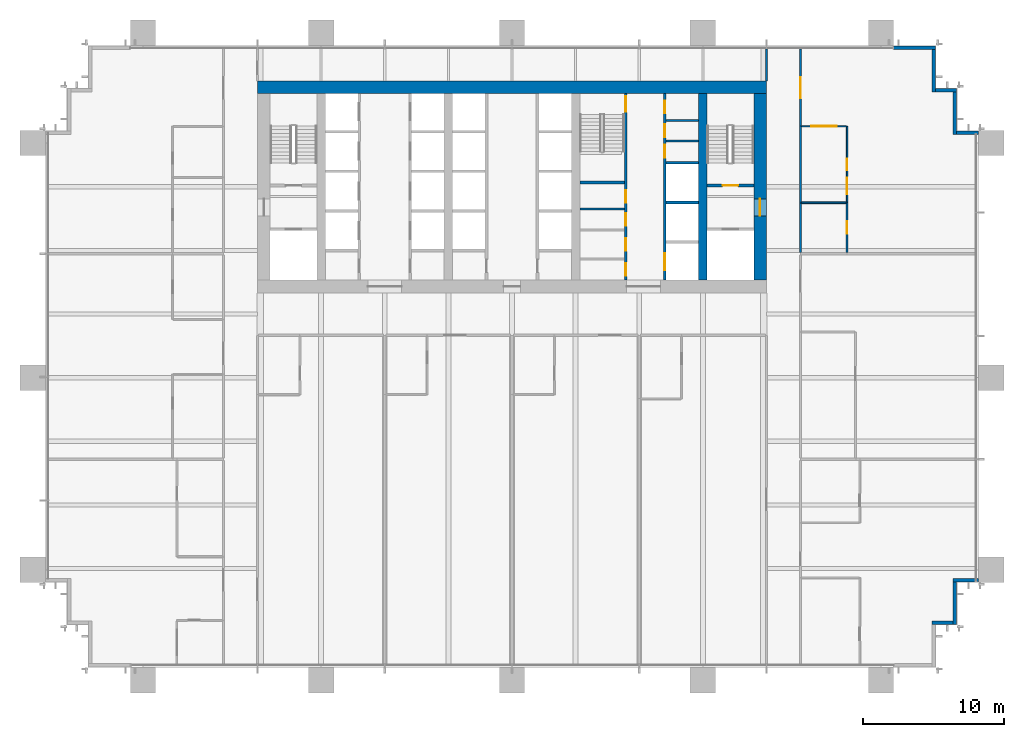
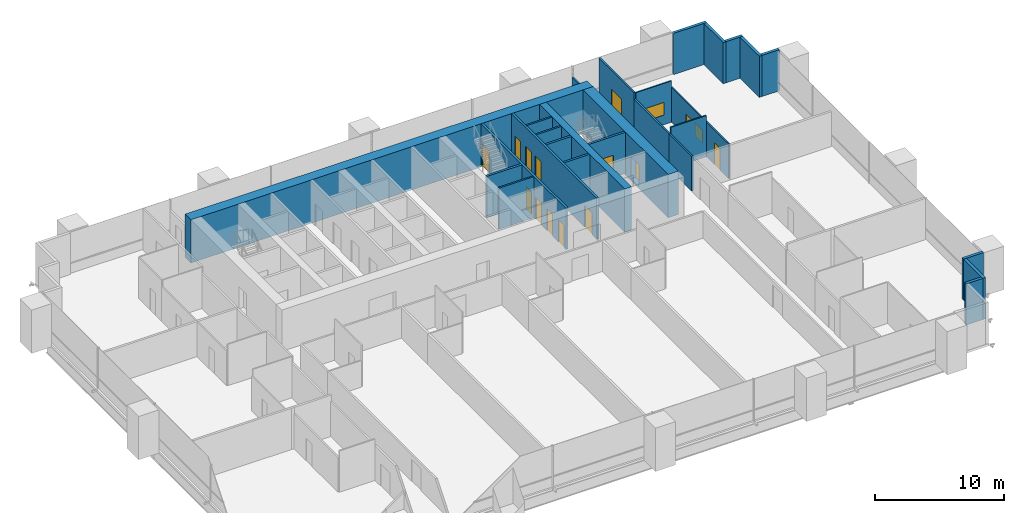
# One storey, part 14 of 17: 28 walls, 14 doors, 2 windows, 16 openings.
"""IFC4 building model written with IfcOpenShell, lengths in metres."""

import ifcopenshell
import ifcopenshell.guid

model = None  # the IFC model being written
_history = None  # IfcOwnerHistory: only IFC2X3 demands one
_inside = {}  # id of a spatial element -> (the spatial element, [elements in it])
_under = {}  # id of a project, library or spatial element -> (it, [spatial elements below it])
_declared = {}  # id of a project -> (the project, [libraries it declares])
_typed = {}  # id of a type object -> (the type object, [elements of that type])
_made_of = {}  # id of a material, layer set ... -> (it, [elements and type objects made of it])


def new_model(schema):
    """Start an empty IFC model of exactly this schema.

    Asked for "IFC4X3", IfcOpenShell would pick the latest addendum, in which some entities
    have other attributes; the version numbers below select the first issue.
    IFC2X3 requires an IfcOwnerHistory on every rooted entity: one is made here for all.
    """
    global model, _history
    if schema == "IFC4X3":
        model = ifcopenshell.file(schema_version=(4, 3, 0, 0))
    else:
        model = ifcopenshell.file(schema=schema)
    _inside.clear()
    _under.clear()
    _declared.clear()
    _typed.clear()
    _made_of.clear()
    _history = None
    if model.schema == "IFC2X3":
        org = make("IfcOrganization", Name="unknown")
        user = make(
            "IfcPersonAndOrganization",
            ThePerson=make("IfcPerson", FamilyName="unknown"),
            TheOrganization=org,
        )
        app = make(
            "IfcApplication",
            ApplicationDeveloper=org,
            Version="unknown",
            ApplicationFullName="unknown",
            ApplicationIdentifier="unknown",
        )
        _history = make(
            "IfcOwnerHistory",
            OwningUser=user,
            OwningApplication=app,
            ChangeAction="ADDED",
            CreationDate=0,
        )
    return model


def make(cls, **values):
    """One entity of the class cls with the attributes given. An attribute that is None is left unset."""
    return model.create_entity(
        cls, **{name: value for name, value in values.items() if value is not None}
    )


def rooted(cls, **values):
    """An entity with a GlobalId (a new one), such as an element, a storey or a relation."""
    return make(cls, GlobalId=ifcopenshell.guid.new(), OwnerHistory=_history, **values)


def si_unit(unit_type, name, prefix=None):
    """IfcSIUnit, for example si_unit("LENGTHUNIT", "METRE", prefix="MILLI")."""
    return make("IfcSIUnit", UnitType=unit_type, Prefix=prefix, Name=name)


def assignment(units):
    """IfcUnitAssignment: the units of a project."""
    return None if units is None else make("IfcUnitAssignment", Units=units)


def point(xyz):
    """IfcCartesianPoint."""
    return None if xyz is None else make("IfcCartesianPoint", Coordinates=xyz)


def direction(xyz):
    """IfcDirection."""
    return None if xyz is None else make("IfcDirection", DirectionRatios=xyz)


def frame(location, z_axis=None, x_axis=None):
    """IfcAxis2Placement3D, a coordinate frame: its origin and axes. An axis left out is left unset."""
    return make(
        "IfcAxis2Placement3D",
        Location=point(location),
        Axis=direction(z_axis),
        RefDirection=direction(x_axis),
    )


def frame_2d(location, x_axis=None):
    """IfcAxis2Placement2D, a coordinate frame in the plane: its origin and x axis."""
    return make(
        "IfcAxis2Placement2D", Location=point(location), RefDirection=direction(x_axis)
    )


def origin():
    """The frame at (0, 0, 0) with its axes left unset."""
    return frame((0.0, 0.0, 0.0))


def place(relative_to, where):
    """IfcLocalPlacement: puts the frame where relative to a parent placement (None: the world)."""
    return make(
        "IfcLocalPlacement", PlacementRelTo=relative_to, RelativePlacement=where
    )


def context(
    kind, dimensions, precision=None, world=None, true_north=None, identifier=None
):
    """IfcGeometricRepresentationContext, for example the 3D "Model" context."""
    return make(
        "IfcGeometricRepresentationContext",
        ContextIdentifier=identifier,
        ContextType=kind,
        CoordinateSpaceDimension=dimensions,
        Precision=precision,
        WorldCoordinateSystem=world,
        TrueNorth=true_north,
    )


def subcontext(parent, identifier, kind, view, scale=None):
    """IfcGeometricRepresentationSubContext, for example "Body" below "Model"."""
    return make(
        "IfcGeometricRepresentationSubContext",
        ContextIdentifier=identifier,
        ContextType=kind,
        ParentContext=parent,
        TargetScale=scale,
        TargetView=view,
    )


def project(units=None, contexts=None):
    """IfcProject with its units and contexts."""
    return rooted(
        "IfcProject",
        Name="project",
        RepresentationContexts=contexts,
        UnitsInContext=assignment(units),
    )


def spatial(cls, under=None, at=None, **own):
    """A site, building, storey or space (cls), placed at a placement, below another one or the project."""
    s = rooted(cls, ObjectPlacement=at, **own)
    if under is not None:
        _under.setdefault(under.id(), (under, []))[1].append(s)
    return s


def profile(cls, at=None, kind="AREA", **sizes):
    """A parametric profile (cls). Its sizes go by their IFC names, for example OverallWidth=200.0."""
    return make(cls, ProfileType=kind, Position=at, **sizes)


def rectangle(**sizes):
    """IfcRectangleProfileDef."""
    return profile("IfcRectangleProfileDef", **sizes)


def extrude(swept, where, along, depth):
    """IfcExtrudedAreaSolid: the profile swept, set in the frame where, extruded along a direction by depth."""
    return make(
        "IfcExtrudedAreaSolid",
        SweptArea=swept,
        Position=where,
        ExtrudedDirection=direction(along),
        Depth=depth,
    )


def shape(context_of_items, identifier, shape_type, items):
    """IfcShapeRepresentation: the items that make up one representation, for example the "Body"."""
    return make(
        "IfcShapeRepresentation",
        ContextOfItems=context_of_items,
        RepresentationIdentifier=identifier,
        RepresentationType=shape_type,
        Items=items,
    )


def material(Name=None, Category=None):
    """IfcMaterial."""
    return make("IfcMaterial", Name=Name, Category=Category)


def layer(
    of_material, thickness, ventilated=None, Name=None, Category=None, Priority=None
):
    """IfcMaterialLayer: one layer of a wall or slab, of a material (None: an air gap)."""
    return make(
        "IfcMaterialLayer",
        Material=of_material,
        LayerThickness=thickness,
        IsVentilated=ventilated,
        Name=Name,
        Category=Category,
        Priority=Priority,
    )


def layer_set(layers, Name=None):
    """IfcMaterialLayerSet."""
    return make("IfcMaterialLayerSet", MaterialLayers=layers, LayerSetName=Name)


def made_of(thing, what):
    """Note that an element or type object is made of a material, layer set ...; save() writes the relation."""
    if what is not None:
        _made_of.setdefault(what.id(), (what, []))[1].append(thing)
    return thing


def type_object(cls, material=None, **own):
    """A type object (cls), such as IfcWallType, which elements share."""
    return made_of(rooted(cls, **own), material)


def element(
    cls,
    number,
    at=None,
    inside=None,
    cuts=None,
    type_object=None,
    material=None,
    context=None,
    identifier="Body",
    shape_type=None,
    held_by="IfcProductDefinitionShape",
    body=None,
    shapes=None,
    **own,
):
    """One element of the class cls, such as IfcWall. Its Tag is "e" and its number.

    at: its placement. inside: the storey or other place that contains it. cuts: it is an
    opening in that element (IfcRelVoidsElement). A single representation is given by context,
    identifier, shape_type and body (its items); several are given by shapes. held_by: the class
    of the entity that holds the representations. save() writes the other relations.
    """
    e = rooted(cls, Tag="e%d" % number, ObjectPlacement=at, **own)
    if body is not None:
        shapes = [shape(context, identifier, shape_type, body)]
    if shapes is not None:
        e.Representation = make(held_by, Representations=shapes)
    if inside is not None:
        _inside.setdefault(inside.id(), (inside, []))[1].append(e)
    if cuts is not None:
        rooted(
            "IfcRelVoidsElement", RelatingBuildingElement=cuts, RelatedOpeningElement=e
        )
    if type_object is not None:
        _typed.setdefault(type_object.id(), (type_object, []))[1].append(e)
    return made_of(e, material)


def fill(opening, filler):
    """IfcRelFillsElement: the door or window that sits in an opening."""
    return rooted(
        "IfcRelFillsElement",
        RelatingOpeningElement=opening,
        RelatedBuildingElement=filler,
    )


def aggregate(whole, parts):
    """IfcRelAggregates: a whole, such as a stair, and the parts it consists of."""
    return rooted("IfcRelAggregates", RelatingObject=whole, RelatedObjects=parts)


def save(model, path):
    """Write the relations noted so far, then the file.

    IfcRelAggregates (storeys below a building ...), IfcRelContainedInSpatialStructure (elements
    in a storey), IfcRelDefinesByType, IfcRelAssociatesMaterial and IfcRelDeclares: one each for
    every whole, place, type object, material and project.
    """
    for whole, parts in _under.values():
        aggregate(whole, parts)
    for where, things in _inside.values():
        rooted(
            "IfcRelContainedInSpatialStructure",
            RelatedElements=things,
            RelatingStructure=where,
        )
    for kind, things in _typed.values():
        rooted("IfcRelDefinesByType", RelatedObjects=things, RelatingType=kind)
    for what, things in _made_of.values():
        rooted("IfcRelAssociatesMaterial", RelatedObjects=things, RelatingMaterial=what)
    for by, libraries in _declared.values():
        rooted("IfcRelDeclares", RelatingContext=by, RelatedDefinitions=libraries)
    model.write(path)


model = new_model("IFC4")

# Units and contexts
model_context = context("Model", 3, precision=1e-05, world=origin(), true_north=direction((0.0, 1.0)))
body_context = subcontext(model_context, "Body", "Model", "MODEL_VIEW")
ifc_project = project(units=[si_unit("LENGTHUNIT", "METRE"), si_unit("AREAUNIT", "SQUARE_METRE"), si_unit("VOLUMEUNIT", "CUBIC_METRE"), si_unit("PLANEANGLEUNIT", "RADIAN"), si_unit("MASSUNIT", "GRAM", prefix="KILO")], contexts=[model_context])

# Site, building, storey
site_placement = place(None, origin())
site = spatial("IfcSite", under=ifc_project, at=site_placement, CompositionType="ELEMENT")
building_placement = place(site_placement, origin())
building = spatial("IfcBuilding", under=site, at=building_placement, Name="Rattan Terrace Tower", CompositionType="ELEMENT")
storey_placement = place(building_placement, frame((0.0, 0.0, 61.10009765625)))
storey = spatial("IfcBuildingStorey", under=building, at=storey_placement, Name="L13", CompositionType="ELEMENT", Elevation=61.10009765625)

# Walls
ifc_material_1 = material(Name="Gypsum board partition")
ifc_layer_1 = layer(ifc_material_1, 0.14990234375)
ifc_layer_set_1 = layer_set([ifc_layer_1], Name="Core partition 150")
wall_type_1 = type_object("IfcWallType", Name="Core partition 150", PredefinedType="PARTITIONING", material=ifc_layer_set_1)
wall_1_placement = place(storey_placement, frame((4.800048828125, -1.568115234375, 0.0), z_axis=(0.0, 0.0, 1.0), x_axis=(1.0, 0.0, 0.0)))
element("IfcWall", 1, at=wall_1_placement, inside=storey, type_object=wall_type_1, Name="Toilet wall", PredefinedType="PARTITIONING", context=body_context, shape_type="SweptSolid", body=[
    extrude(rectangle(XDim=3.14990234375, YDim=0.14990234375, at=frame_2d((1.574951171875, 0.0))), origin(), (0.0, 0.0, 1.0), 3.89990234375),
])
for number, where, z_axis, x_axis, name in (
    (2, (10.89990234375, 3.239990234375, 0.0), (0.0, 0.0, 1.0), (1.0, 0.0, 0.0), "Riser room wall"),
    (3, (10.89990234375, 4.679931640625, 0.0), (0.0, 0.0, 1.0), (1.0, 0.0, 0.0), "Riser room wall"),
):
    element("IfcWall", number, at=place(storey_placement, frame(where, z_axis=z_axis, x_axis=x_axis)), inside=storey, type_object=wall_type_1, Name=name, PredefinedType="PARTITIONING", context=body_context, shape_type="SweptSolid", body=[
        extrude(rectangle(XDim=2.300048828125, YDim=0.14990234375, at=frame_2d((1.14990234375, 0.0))), origin(), (0.0, 0.0, 1.0), 3.89990234375),
    ])

# Wall, opening, door
ifc_material_2 = material(Name="Gypsum board partition")
ifc_layer_2 = layer(ifc_material_2, 0.199951171875)
ifc_layer_set_2 = layer_set([ifc_layer_2], Name="Core partition 200")
wall_type_2 = type_object("IfcWallType", Name="Core partition 200", PredefinedType="PARTITIONING", material=ifc_layer_set_2)
wall_2_placement = place(storey_placement, frame((13.800048828125, 0.10009765625, 0.0), z_axis=(0.0, 0.0, 1.0), x_axis=(1.0, 0.0, 0.0)))
wall_2 = element("IfcWall", 4, at=wall_2_placement, inside=storey, type_object=wall_type_2, Name="Stair enclosure wall", PredefinedType="PARTITIONING", context=body_context, shape_type="SweptSolid", body=[
    extrude(rectangle(XDim=3.300048828125, YDim=0.199951171875, at=frame_2d((1.64990234375, 0.0))), origin(), (0.0, 0.0, 1.0), 3.89990234375),
])
opening_1_placement = place(wall_2_placement, frame((1.10009765625, 0.0, 0.0)))
opening_1 = element("IfcOpeningElement", 5, at=opening_1_placement, cuts=wall_2, Name="Opening L13-D004", PredefinedType="OPENING", context=body_context, shape_type="SweptSolid", body=[
    extrude(rectangle(XDim=1.10009765625, YDim=2.10009765625, at=frame_2d((0.550048828125, 1.050048828125))), frame((0.0, 0.110595703125, 0.0), z_axis=(0.0, -1.0, 0.0), x_axis=(1.0, 0.0, 0.0)), (0.0, 0.0, 1.0), 0.220947265625),
])
ifc_material_3 = material(Name="Hollow-metal fire door leaf")
door_type_1 = type_object("IfcDoorType", Name="Core stair door 1100", OperationType="NOTDEFINED", PredefinedType="DOOR", material=ifc_material_3)
door_1_placement = place(opening_1_placement, origin())
door_1 = element("IfcDoor", 6, at=door_1_placement, inside=storey, type_object=door_type_1, Name="Door L13-D004", OperationType="SINGLE_SWING_LEFT", OverallHeight=2.10009765625, OverallWidth=1.10009765625, PredefinedType="DOOR", context=body_context, shape_type="SweptSolid", body=[
    extrude(rectangle(XDim=1.10009765625, YDim=2.10009765625, at=frame_2d((0.550048828125, 1.050048828125))), frame((0.0, 0.02490234375, 0.0), z_axis=(0.0, -1.0, 0.0), x_axis=(1.0, 0.0, 0.0)), (0.0, 0.0, 1.0), 0.050048828125),
])
fill(opening_1, door_1)

# Wall, openings, doors
wall_3_placement = place(storey_placement, frame((8.050048828125, -6.60009765625, 0.0), z_axis=(0.0, 0.0, 1.0), x_axis=(0.0, 1.0, 0.0)))
wall_3 = element("IfcWall", 7, at=wall_3_placement, inside=storey, type_object=wall_type_2, Name="Lobby wall west", PredefinedType="PARTITIONING", context=body_context, shape_type="SweptSolid", body=[
    extrude(rectangle(XDim=13.2001953125, YDim=0.199951171875, at=frame_2d((6.60009765625, 0.0))), origin(), (0.0, 0.0, 1.0), 3.89990234375),
])
opening_2_placement = place(wall_3_placement, frame((0.298095703125, 0.0, 0.0)))
opening_2 = element("IfcOpeningElement", 8, at=opening_2_placement, cuts=wall_3, Name="Opening L13-D011", PredefinedType="OPENING", context=body_context, shape_type="SweptSolid", body=[
    extrude(rectangle(XDim=0.89990234375, YDim=2.10009765625, at=frame_2d((0.449951171875, 1.050048828125))), frame((0.0, 0.110595703125, 0.0), z_axis=(0.0, -1.0, 0.0), x_axis=(1.0, 0.0, 0.0)), (0.0, 0.0, 1.0), 0.220947265625),
])
opening_3_placement = place(wall_3_placement, frame((2.06591796875, 0.0, 0.0)))
opening_3 = element("IfcOpeningElement", 9, at=opening_3_placement, cuts=wall_3, Name="Opening L13-D012", PredefinedType="OPENING", context=body_context, shape_type="SweptSolid", body=[
    extrude(rectangle(XDim=0.89990234375, YDim=2.10009765625, at=frame_2d((0.449951171875, 1.050048828125))), frame((0.0, 0.110595703125, 0.0), z_axis=(0.0, -1.0, 0.0), x_axis=(1.0, 0.0, 0.0)), (0.0, 0.0, 1.0), 0.220947265625),
])
opening_4_placement = place(wall_3_placement, frame((3.833984375, 0.0, 0.0)))
opening_4 = element("IfcOpeningElement", 10, at=opening_4_placement, cuts=wall_3, Name="Opening L13-D013", PredefinedType="OPENING", context=body_context, shape_type="SweptSolid", body=[
    extrude(rectangle(XDim=0.89990234375, YDim=2.10009765625, at=frame_2d((0.449951171875, 1.050048828125))), frame((0.0, 0.110595703125, 0.0), z_axis=(0.0, -1.0, 0.0), x_axis=(1.0, 0.0, 0.0)), (0.0, 0.0, 1.0), 0.220947265625),
])
opening_5_placement = place(wall_3_placement, frame((5.466064453125, 0.0, 0.0)))
opening_5 = element("IfcOpeningElement", 11, at=opening_5_placement, cuts=wall_3, Name="Opening L13-D014", PredefinedType="OPENING", context=body_context, shape_type="SweptSolid", body=[
    extrude(rectangle(XDim=0.89990234375, YDim=2.10009765625, at=frame_2d((0.449951171875, 1.050048828125))), frame((0.0, 0.110595703125, 0.0), z_axis=(0.0, -1.0, 0.0), x_axis=(1.0, 0.0, 0.0)), (0.0, 0.0, 1.0), 0.220947265625),
])
opening_6_placement = place(wall_3_placement, frame((11.89990234375, 0.0, 0.0)))
opening_6 = element("IfcOpeningElement", 12, at=opening_6_placement, cuts=wall_3, Name="Opening L13-D015", PredefinedType="OPENING", context=body_context, shape_type="SweptSolid", body=[
    extrude(rectangle(XDim=1.10009765625, YDim=2.10009765625, at=frame_2d((0.550048828125, 1.050048828125))), frame((0.0, 0.110595703125, 0.0), z_axis=(0.0, -1.0, 0.0), x_axis=(1.0, 0.0, 0.0)), (0.0, 0.0, 1.0), 0.220947265625),
])
ifc_material_4 = material(Name="Hollow-metal fire door leaf")
door_type_2 = type_object("IfcDoorType", Name="Core service room door 900", OperationType="NOTDEFINED", PredefinedType="DOOR", material=ifc_material_4)
door_2_placement = place(opening_5_placement, origin())
door_2 = element("IfcDoor", 13, at=door_2_placement, inside=storey, type_object=door_type_2, Name="Door L13-D014", OperationType="SINGLE_SWING_RIGHT", OverallHeight=2.10009765625, OverallWidth=0.89990234375, PredefinedType="DOOR", context=body_context, shape_type="SweptSolid", body=[
    extrude(rectangle(XDim=0.89990234375, YDim=2.10009765625, at=frame_2d((0.449951171875, 1.050048828125))), frame((0.0, 0.02490234375, 0.0), z_axis=(0.0, -1.0, 0.0), x_axis=(1.0, 0.0, 0.0)), (0.0, 0.0, 1.0), 0.050048828125),
])
fill(opening_5, door_2)
door_3_placement = place(opening_6_placement, origin())
door_3 = element("IfcDoor", 14, at=door_3_placement, inside=storey, type_object=door_type_1, Name="Door L13-D015", OperationType="SINGLE_SWING_LEFT", OverallHeight=2.10009765625, OverallWidth=1.10009765625, PredefinedType="DOOR", context=body_context, shape_type="SweptSolid", body=[
    extrude(rectangle(XDim=1.10009765625, YDim=2.10009765625, at=frame_2d((0.550048828125, 1.050048828125))), frame((0.0, 0.02490234375, 0.0), z_axis=(0.0, -1.0, 0.0), x_axis=(1.0, 0.0, 0.0)), (0.0, 0.0, 1.0), 0.050048828125),
])
fill(opening_6, door_3)
ifc_material_5 = material(Name="Hollow-metal fire door leaf")
door_type_3 = type_object("IfcDoorType", Name="Core toilet door 900", OperationType="NOTDEFINED", PredefinedType="DOOR", material=ifc_material_5)
door_4_placement = place(opening_2_placement, origin())
door_4 = element("IfcDoor", 15, at=door_4_placement, inside=storey, type_object=door_type_3, Name="Door L13-D011", OperationType="SINGLE_SWING_LEFT", OverallHeight=2.10009765625, OverallWidth=0.89990234375, PredefinedType="DOOR", context=body_context, shape_type="SweptSolid", body=[
    extrude(rectangle(XDim=0.89990234375, YDim=2.10009765625, at=frame_2d((0.449951171875, 1.050048828125))), frame((0.0, 0.02490234375, 0.0), z_axis=(0.0, -1.0, 0.0), x_axis=(1.0, 0.0, 0.0)), (0.0, 0.0, 1.0), 0.050048828125),
])
fill(opening_2, door_4)
door_5_placement = place(opening_3_placement, origin())
door_5 = element("IfcDoor", 16, at=door_5_placement, inside=storey, type_object=door_type_3, Name="Door L13-D012", OperationType="SINGLE_SWING_RIGHT", OverallHeight=2.10009765625, OverallWidth=0.89990234375, PredefinedType="DOOR", context=body_context, shape_type="SweptSolid", body=[
    extrude(rectangle(XDim=0.89990234375, YDim=2.10009765625, at=frame_2d((0.449951171875, 1.050048828125))), frame((0.0, 0.02490234375, 0.0), z_axis=(0.0, -1.0, 0.0), x_axis=(1.0, 0.0, 0.0)), (0.0, 0.0, 1.0), 0.050048828125),
])
fill(opening_3, door_5)
door_6_placement = place(opening_4_placement, origin())
door_6 = element("IfcDoor", 17, at=door_6_placement, inside=storey, type_object=door_type_3, Name="Door L13-D013", OperationType="SINGLE_SWING_LEFT", OverallHeight=2.10009765625, OverallWidth=0.89990234375, PredefinedType="DOOR", context=body_context, shape_type="SweptSolid", body=[
    extrude(rectangle(XDim=0.89990234375, YDim=2.10009765625, at=frame_2d((0.449951171875, 1.050048828125))), frame((0.0, 0.02490234375, 0.0), z_axis=(0.0, -1.0, 0.0), x_axis=(1.0, 0.0, 0.0)), (0.0, 0.0, 1.0), 0.050048828125),
])
fill(opening_4, door_6)

# Walls
wall_4_placement = place(storey_placement, frame((4.800048828125, 0.300048828125, 0.0), z_axis=(0.0, 0.0, 1.0), x_axis=(1.0, 0.0, 0.0)))
element("IfcWall", 18, at=wall_4_placement, inside=storey, type_object=wall_type_2, Name="Stair enclosure wall", PredefinedType="PARTITIONING", context=body_context, shape_type="SweptSolid", body=[
    extrude(rectangle(XDim=3.14990234375, YDim=0.199951171875, at=frame_2d((1.574951171875, 0.0))), origin(), (0.0, 0.0, 1.0), 3.89990234375),
])
ifc_material_6 = material(Name="Concrete C70/85", Category="concrete")
ifc_layer_3 = layer(ifc_material_6, 0.89990234375)
ifc_layer_set_3 = layer_set([ifc_layer_3], Name="Core ring wall 900 C70/85")
wall_type_3 = type_object("IfcWallType", Name="Core ring wall 900 C70/85", PredefinedType="SHEAR", material=ifc_layer_set_3)
wall_5_placement = place(storey_placement, frame((-18.0, 7.050048828125, -0.2001953125), z_axis=(0.0, 0.0, 1.0), x_axis=(1.0, 0.0, 0.0)))
element("IfcWall", 19, at=wall_5_placement, inside=storey, type_object=wall_type_3, Name="Rear core wall north", PredefinedType="SHEAR", context=body_context, shape_type="SweptSolid", body=[
    extrude(rectangle(XDim=36.0, YDim=0.89990234375, at=frame_2d((18.0, 0.0))), origin(), (0.0, 0.0, 1.0), 4.10009765625),
])

# Wall, opening, door
wall_6_placement = place(storey_placement, frame((17.550048828125, -6.60009765625, -0.2001953125), z_axis=(0.0, 0.0, 1.0), x_axis=(0.0, 1.0, 0.0)))
wall_6 = element("IfcWall", 20, at=wall_6_placement, inside=storey, type_object=wall_type_3, Name="Rear core wall east", PredefinedType="SHEAR", context=body_context, shape_type="SweptSolid", body=[
    extrude(rectangle(XDim=13.2001953125, YDim=0.89990234375, at=frame_2d((6.60009765625, 0.0))), origin(), (0.0, 0.0, 1.0), 4.10009765625),
])
opening_7_placement = place(wall_6_placement, frame((4.550048828125, 0.0, 0.199951171875)))
opening_7 = element("IfcOpeningElement", 21, at=opening_7_placement, cuts=wall_6, Name="Opening L13-D003", PredefinedType="OPENING", context=body_context, shape_type="SweptSolid", body=[
    extrude(rectangle(XDim=1.199951171875, YDim=2.10009765625, at=frame_2d((0.60009765625, 1.050048828125))), frame((0.0, 0.46044921875, 0.0), z_axis=(0.0, -1.0, 0.0), x_axis=(1.0, 0.0, 0.0)), (0.0, 0.0, 1.0), 0.9208984375),
])
ifc_material_7 = material(Name="Hollow-metal fire door leaf")
door_type_4 = type_object("IfcDoorType", Name="Core fire-fighting lobby door 1200", OperationType="NOTDEFINED", PredefinedType="DOOR", material=ifc_material_7)
door_7_placement = place(opening_7_placement, origin())
door_7 = element("IfcDoor", 22, at=door_7_placement, inside=storey, type_object=door_type_4, Name="Door L13-D003", OperationType="SINGLE_SWING_RIGHT", OverallHeight=2.10009765625, OverallWidth=1.199951171875, PredefinedType="DOOR", context=body_context, shape_type="SweptSolid", body=[
    extrude(rectangle(XDim=1.199951171875, YDim=2.10009765625, at=frame_2d((0.60009765625, 1.050048828125))), frame((0.0, 0.02490234375, 0.0), z_axis=(0.0, -1.0, 0.0), x_axis=(1.0, 0.0, 0.0)), (0.0, 0.0, 1.0), 0.050048828125),
])
fill(opening_7, door_7)

# Walls
ifc_material_8 = material(Name="Concrete C70/85", Category="concrete")
ifc_layer_4 = layer(ifc_material_8, 0.60009765625)
ifc_layer_set_4 = layer_set([ifc_layer_4], Name="Core spine wall 600 C70/85")
wall_type_4 = type_object("IfcWallType", Name="Core spine wall 600 C70/85", PredefinedType="SHEAR", material=ifc_layer_set_4)
wall_7_placement = place(storey_placement, frame((13.5, -6.60009765625, -0.2001953125), z_axis=(0.0, 0.0, 1.0), x_axis=(0.0, 1.0, 0.0)))
element("IfcWall", 23, at=wall_7_placement, inside=storey, type_object=wall_type_4, Name="Core spine wall 4", PredefinedType="SHEAR", context=body_context, shape_type="SweptSolid", body=[
    extrude(rectangle(XDim=13.2001953125, YDim=0.60009765625, at=frame_2d((6.60009765625, 0.0))), origin(), (0.0, 0.0, 1.0), 4.10009765625),
])
ifc_material_9 = material(Name="Insulated aluminium-clad stud wall", Category="aluminium")
ifc_layer_5 = layer(ifc_material_9, 0.25)
ifc_layer_set_5 = layer_set([ifc_layer_5], Name="Facade Riser Wall 250")
wall_type_5 = type_object("IfcWallType", Name="Facade Riser Wall 250", PredefinedType="SOLIDWALL", material=ifc_layer_set_5)
wall_8_placement = place(storey_placement, frame((29.705078125, -30.830078125, 0.0), z_axis=(0.0, 0.0, 1.0), x_axis=(1.0, 0.0, 0.0)))
element("IfcWall", 24, at=wall_8_placement, inside=storey, type_object=wall_type_5, Name="Riser wall L13-3", PredefinedType="SOLIDWALL", context=body_context, shape_type="SweptSolid", body=[
    extrude(rectangle(XDim=1.5, YDim=0.25, at=frame_2d((0.75, 0.0))), origin(), (0.0, 0.0, 1.0), 3.89990234375),
])
wall_9_placement = place(storey_placement, frame((31.330078125, -30.955078125, 0.0), z_axis=(0.0, 0.0, 1.0), x_axis=(0.0, 1.0, 0.0)))
element("IfcWall", 25, at=wall_9_placement, inside=storey, type_object=wall_type_5, Name="Riser wall L13-4", PredefinedType="SOLIDWALL", context=body_context, shape_type="SweptSolid", body=[
    extrude(rectangle(XDim=3.0, YDim=0.25, at=frame_2d((1.5, 0.0))), origin(), (0.0, 0.0, 1.0), 3.89990234375),
])
wall_10_placement = place(storey_placement, frame((31.205078125, -27.830078125, 0.0), z_axis=(0.0, 0.0, 1.0), x_axis=(1.0, 0.0, 0.0)))
element("IfcWall", 26, at=wall_10_placement, inside=storey, type_object=wall_type_5, Name="Riser wall L13-5", PredefinedType="SOLIDWALL", context=body_context, shape_type="SweptSolid", body=[
    extrude(rectangle(XDim=1.7998046875, YDim=0.25, at=frame_2d((0.89990234375, 0.0))), origin(), (0.0, 0.0, 1.0), 3.89990234375),
])
wall_11_placement = place(storey_placement, frame((33.0048828125, 3.830078125, 0.0), z_axis=(0.0, 0.0, 1.0), x_axis=(-1.0, 0.0, 0.0)))
element("IfcWall", 27, at=wall_11_placement, inside=storey, type_object=wall_type_5, Name="Riser wall L13-6", PredefinedType="SOLIDWALL", context=body_context, shape_type="SweptSolid", body=[
    extrude(rectangle(XDim=1.5498046875, YDim=0.25, at=frame_2d((0.77490234375, 0.0))), origin(), (0.0, 0.0, 1.0), 3.89990234375),
])
wall_12_placement = place(storey_placement, frame((31.330078125, 3.705078125, 0.0), z_axis=(0.0, 0.0, 1.0), x_axis=(0.0, 1.0, 0.0)))
element("IfcWall", 28, at=wall_12_placement, inside=storey, type_object=wall_type_5, Name="Riser wall L13-7", PredefinedType="SOLIDWALL", context=body_context, shape_type="SweptSolid", body=[
    extrude(rectangle(XDim=3.0, YDim=0.25, at=frame_2d((1.5, 0.0))), origin(), (0.0, 0.0, 1.0), 3.89990234375),
])
wall_13_placement = place(storey_placement, frame((31.455078125, 6.830078125, 0.0), z_axis=(0.0, 0.0, 1.0), x_axis=(-1.0, 0.0, 0.0)))
element("IfcWall", 29, at=wall_13_placement, inside=storey, type_object=wall_type_5, Name="Riser wall L13-8", PredefinedType="SOLIDWALL", context=body_context, shape_type="SweptSolid", body=[
    extrude(rectangle(XDim=1.5, YDim=0.25, at=frame_2d((0.75, 0.0))), origin(), (0.0, 0.0, 1.0), 3.89990234375),
])
wall_14_placement = place(storey_placement, frame((29.830078125, 6.705078125, 0.0), z_axis=(0.0, 0.0, 1.0), x_axis=(0.0, 1.0, 0.0)))
element("IfcWall", 30, at=wall_14_placement, inside=storey, type_object=wall_type_5, Name="Riser wall L13-9", PredefinedType="SOLIDWALL", context=body_context, shape_type="SweptSolid", body=[
    extrude(rectangle(XDim=3.0, YDim=0.25, at=frame_2d((1.5, 0.0))), origin(), (0.0, 0.0, 1.0), 3.89990234375),
])
wall_15_placement = place(storey_placement, frame((29.955078125, 9.830078125, 0.0), z_axis=(0.0, 0.0, 1.0), x_axis=(-1.0, 0.0, 0.0)))
element("IfcWall", 31, at=wall_15_placement, inside=storey, type_object=wall_type_5, Name="Riser wall L13-10", PredefinedType="SOLIDWALL", context=body_context, shape_type="SweptSolid", body=[
    extrude(rectangle(XDim=2.955078125, YDim=0.25, at=frame_2d((1.4775390625, 0.0))), origin(), (0.0, 0.0, 1.0), 3.89990234375),
])

# Wall, opening, window
ifc_material_10 = material(Name="Gypsum board partition on steel studs", Category="steel")
ifc_layer_6 = layer(ifc_material_10, 0.10009765625)
ifc_layer_set_6 = layer_set([ifc_layer_6], Name="Floors Partition 100")
wall_type_6 = type_object("IfcWallType", Name="Floors Partition 100", PredefinedType="PARTITIONING", material=ifc_layer_set_6)
wall_16_placement = place(storey_placement, frame((23.64990234375, 4.27294921875, 0.0), z_axis=(0.0, 0.0, 1.0), x_axis=(-1.0, 0.0, 0.0)))
wall_16 = element("IfcWall", 32, at=wall_16_placement, inside=storey, type_object=wall_type_6, Name="pt-L13-060", PredefinedType="PARTITIONING", context=body_context, shape_type="SweptSolid", body=[
    extrude(rectangle(XDim=3.1748046875, YDim=0.10009765625, at=frame_2d((1.58740234375, 0.0))), origin(), (0.0, 0.0, 1.0), 3.89990234375),
])
opening_8_placement = place(wall_16_placement, frame((0.68798828125, 0.0, 0.89990234375)))
opening_8 = element("IfcOpeningElement", 33, at=opening_8_placement, cuts=wall_16, Name="Opening L13-W101", PredefinedType="OPENING", context=body_context, shape_type="SweptSolid", body=[
    extrude(rectangle(XDim=1.800048828125, YDim=1.199951171875, at=frame_2d((0.89990234375, 0.60009765625))), frame((0.0, 0.060546875, 0.0), z_axis=(0.0, -1.0, 0.0), x_axis=(1.0, 0.0, 0.0)), (0.0, 0.0, 1.0), 0.12109375),
])
ifc_material_11 = material(Name="Glass, clear, fixed in aluminium frame", Category="aluminium")
window_type_1 = type_object("IfcWindowType", Name="Interior Vision Window 1800x1200", PartitioningType="SINGLE_PANEL", PredefinedType="WINDOW", material=ifc_material_11)
window_1_placement = place(opening_8_placement, origin())
window_1 = element("IfcWindow", 34, at=window_1_placement, inside=storey, type_object=window_type_1, Name="w-L13-101", OverallHeight=1.199951171875, OverallWidth=1.800048828125, PartitioningType="SINGLE_PANEL", PredefinedType="WINDOW", context=body_context, shape_type="SweptSolid", body=[
    extrude(rectangle(XDim=1.800048828125, YDim=1.199951171875, at=frame_2d((0.89990234375, 0.60009765625))), frame((0.0, 0.030029296875, 0.0), z_axis=(0.0, -1.0, 0.0), x_axis=(1.0, 0.0, 0.0)), (0.0, 0.0, 1.0), 0.06005859375),
])
fill(opening_8, window_1)

# Wall, openings, door, window
wall_17_placement = place(storey_placement, frame((23.699951171875, -1.10693359375, 0.0), z_axis=(0.0, 0.0, 1.0), x_axis=(0.0, 1.0, 0.0)))
wall_17 = element("IfcWall", 35, at=wall_17_placement, inside=storey, type_object=wall_type_6, Name="pt-L13-061", PredefinedType="PARTITIONING", context=body_context, shape_type="SweptSolid", body=[
    extrude(rectangle(XDim=5.3798828125, YDim=0.10009765625, at=frame_2d((2.68994140625, 0.0))), origin(), (0.0, 0.0, 1.0), 3.2998046875),
])
opening_9_placement = place(wall_17_placement, frame((2.2900390625, 0.0, 0.0)))
opening_9 = element("IfcOpeningElement", 36, at=opening_9_placement, cuts=wall_17, Name="Opening L13-D116", PredefinedType="OPENING", context=body_context, shape_type="SweptSolid", body=[
    extrude(rectangle(XDim=0.800048828125, YDim=2.10009765625, at=frame_2d((0.39990234375, 1.050048828125))), frame((0.0, 0.060546875, 0.0), z_axis=(0.0, -1.0, 0.0), x_axis=(1.0, 0.0, 0.0)), (0.0, 0.0, 1.0), 0.12109375),
])
opening_10_placement = place(wall_17_placement, frame((0.56494140625, 0.0, 0.89990234375)))
opening_10 = element("IfcOpeningElement", 37, at=opening_10_placement, cuts=wall_17, Name="Opening L13-W102", PredefinedType="OPENING", context=body_context, shape_type="SweptSolid", body=[
    extrude(rectangle(XDim=1.199951171875, YDim=1.199951171875, at=frame_2d((0.60009765625, 0.60009765625))), frame((0.0, 0.060546875, 0.0), z_axis=(0.0, -1.0, 0.0), x_axis=(1.0, 0.0, 0.0)), (0.0, 0.0, 1.0), 0.12109375),
])
ifc_material_12 = material(Name="Solid core timber door, painted", Category="wood")
door_type_5 = type_object("IfcDoorType", Name="Floors Store Door 800x2100", OperationType="NOTDEFINED", PredefinedType="DOOR", material=ifc_material_12)
door_8_placement = place(opening_9_placement, origin())
door_8 = element("IfcDoor", 38, at=door_8_placement, inside=storey, type_object=door_type_5, Name="d-L13-116", OperationType="SINGLE_SWING_LEFT", OverallHeight=2.10009765625, OverallWidth=0.800048828125, PredefinedType="DOOR", context=body_context, shape_type="SweptSolid", body=[
    extrude(rectangle(XDim=0.800048828125, YDim=2.10009765625, at=frame_2d((0.39990234375, 1.050048828125))), frame((0.0, 0.02490234375, 0.0), z_axis=(0.0, -1.0, 0.0), x_axis=(1.0, 0.0, 0.0)), (0.0, 0.0, 1.0), 0.050048828125),
])
fill(opening_9, door_8)
ifc_material_13 = material(Name="Glass, clear, fixed in aluminium frame", Category="aluminium")
window_type_2 = type_object("IfcWindowType", Name="Interior Vision Window 1200x1200", PartitioningType="SINGLE_PANEL", PredefinedType="WINDOW", material=ifc_material_13)
window_2_placement = place(opening_10_placement, origin())
window_2 = element("IfcWindow", 39, at=window_2_placement, inside=storey, type_object=window_type_2, Name="w-L13-102", OverallHeight=1.199951171875, OverallWidth=1.199951171875, PartitioningType="SINGLE_PANEL", PredefinedType="WINDOW", context=body_context, shape_type="SweptSolid", body=[
    extrude(rectangle(XDim=1.199951171875, YDim=1.199951171875, at=frame_2d((0.60009765625, 0.60009765625))), frame((0.0, 0.030029296875, 0.0), z_axis=(0.0, -1.0, 0.0), x_axis=(1.0, 0.0, 0.0)), (0.0, 0.0, 1.0), 0.06005859375),
])
fill(opening_10, window_2)

# Wall, opening, door
ifc_material_14 = material(Name="Gypsum board partition on steel studs, fire rated", Category="steel")
ifc_layer_7 = layer(ifc_material_14, 0.14990234375)
ifc_layer_set_7 = layer_set([ifc_layer_7], Name="Floors Tenancy Wall 150")
wall_type_7 = type_object("IfcWallType", Name="Floors Tenancy Wall 150", PredefinedType="PARTITIONING", material=ifc_layer_set_7)
wall_18_placement = place(storey_placement, frame((20.39990234375, 9.739990234375, 0.0), z_axis=(0.0, 0.0, 1.0), x_axis=(0.0, -1.0, 0.0)))
wall_18 = element("IfcWall", 40, at=wall_18_placement, inside=storey, type_object=wall_type_7, Name="pt-L13-015", PredefinedType="PARTITIONING", context=body_context, shape_type="SweptSolid", body=[
    extrude(rectangle(XDim=5.447021484375, YDim=0.14990234375, at=frame_2d((2.7236328125, 0.0))), origin(), (0.0, 0.0, 1.0), 3.89990234375),
])
opening_11_placement = place(wall_18_placement, frame((1.97412109375, 0.0, 0.0)))
opening_11 = element("IfcOpeningElement", 41, at=opening_11_placement, cuts=wall_18, Name="Opening L13-D114", PredefinedType="OPENING", context=body_context, shape_type="SweptSolid", body=[
    extrude(rectangle(XDim=1.5, YDim=2.10009765625, at=frame_2d((0.75, 1.050048828125))), frame((0.0, 0.08544921875, 0.0), z_axis=(0.0, -1.0, 0.0), x_axis=(1.0, 0.0, 0.0)), (0.0, 0.0, 1.0), 0.1708984375),
])
ifc_material_15 = material(Name="Steel fire door set", Category="steel")
door_type_6 = type_object("IfcDoorType", Name="Floors Unit Door Pair FD30S 1500x2100", OperationType="NOTDEFINED", PredefinedType="DOOR", material=ifc_material_15)
door_9_placement = place(opening_11_placement, origin())
door_9 = element("IfcDoor", 42, at=door_9_placement, inside=storey, type_object=door_type_6, Name="d-L13-114", OperationType="DOUBLE_DOOR_SINGLE_SWING", OverallHeight=2.10009765625, OverallWidth=1.5, PredefinedType="DOOR", context=body_context, shape_type="SweptSolid", body=[
    extrude(rectangle(XDim=1.5, YDim=2.10009765625, at=frame_2d((0.75, 1.050048828125))), frame((0.0, 0.02490234375, 0.0), z_axis=(0.0, -1.0, 0.0), x_axis=(1.0, 0.0, 0.0)), (0.0, 0.0, 1.0), 0.050048828125),
])
fill(opening_11, door_9)

# Walls
wall_19_placement = place(storey_placement, frame((20.39990234375, -1.14697265625, 0.0), z_axis=(0.0, 0.0, 1.0), x_axis=(0.0, -1.0, 0.0)))
element("IfcWall", 43, at=wall_19_placement, inside=storey, type_object=wall_type_7, Name="pt-L13-016", PredefinedType="PARTITIONING", context=body_context, shape_type="SweptSolid", body=[
    extrude(rectangle(XDim=3.489990234375, YDim=0.14990234375, at=frame_2d((1.7451171875, 0.0))), origin(), (0.0, 0.0, 1.0), 3.2998046875),
])
wall_20_placement = place(storey_placement, frame((20.39990234375, 4.29296875, 0.0), z_axis=(0.0, 0.0, 1.0), x_axis=(0.0, -1.0, 0.0)))
element("IfcWall", 44, at=wall_20_placement, inside=storey, type_object=wall_type_7, Name="pt-L13-017", PredefinedType="PARTITIONING", context=body_context, shape_type="SweptSolid", body=[
    extrude(rectangle(XDim=5.43994140625, YDim=0.14990234375, at=frame_2d((2.719970703125, 0.0))), origin(), (0.0, 0.0, 1.0), 3.2998046875),
])
wall_21_placement = place(storey_placement, frame((18.0, 7.47998046875, 0.0), z_axis=(0.0, 0.0, 1.0), x_axis=(0.0, 1.0, 0.0)))
element("IfcWall", 45, at=wall_21_placement, inside=storey, type_object=wall_type_7, Name="pt-L13-019", PredefinedType="PARTITIONING", context=body_context, shape_type="SweptSolid", body=[
    extrude(rectangle(XDim=2.260009765625, YDim=0.14990234375, at=frame_2d((1.1298828125, 0.0))), origin(), (0.0, 0.0, 1.0), 2.89990234375),
])

# Wall, opening, door
ifc_material_16 = material(Name="Moisture resistant gypsum board partition on steel studs with service cavity", Category="steel")
ifc_layer_8 = layer(ifc_material_16, 0.1201171875)
ifc_layer_set_8 = layer_set([ifc_layer_8], Name="Floors Wet Wall 120")
wall_type_8 = type_object("IfcWallType", Name="Floors Wet Wall 120", PredefinedType="PARTITIONING", material=ifc_layer_set_8)
wall_22_placement = place(storey_placement, frame((23.699951171875, -4.636962890625, 0.0), z_axis=(0.0, 0.0, 1.0), x_axis=(0.0, 1.0, 0.0)))
wall_22 = element("IfcWall", 46, at=wall_22_placement, inside=storey, type_object=wall_type_8, Name="pt-L13-059", PredefinedType="PARTITIONING", context=body_context, shape_type="SweptSolid", body=[
    extrude(rectangle(XDim=3.530029296875, YDim=0.1201171875, at=frame_2d((1.76513671875, 0.0))), origin(), (0.0, 0.0, 1.0), 3.2998046875),
])
opening_12_placement = place(wall_22_placement, frame((1.31494140625, 0.0, 0.0)))
opening_12 = element("IfcOpeningElement", 47, at=opening_12_placement, cuts=wall_22, Name="Opening L13-D115", PredefinedType="OPENING", context=body_context, shape_type="SweptSolid", body=[
    extrude(rectangle(XDim=0.89990234375, YDim=2.10009765625, at=frame_2d((0.449951171875, 1.050048828125))), frame((0.0, 0.070556640625, 0.0), z_axis=(0.0, -1.0, 0.0), x_axis=(1.0, 0.0, 0.0)), (0.0, 0.0, 1.0), 0.14111328125),
])
ifc_material_17 = material(Name="Solid core timber door, painted", Category="wood")
door_type_7 = type_object("IfcDoorType", Name="Floors Door 900x2100", OperationType="NOTDEFINED", PredefinedType="DOOR", material=ifc_material_17)
door_10_placement = place(opening_12_placement, origin())
door_10 = element("IfcDoor", 48, at=door_10_placement, inside=storey, type_object=door_type_7, Name="d-L13-115", OperationType="SINGLE_SWING_RIGHT", OverallHeight=2.10009765625, OverallWidth=0.89990234375, PredefinedType="DOOR", context=body_context, shape_type="SweptSolid", body=[
    extrude(rectangle(XDim=0.89990234375, YDim=2.10009765625, at=frame_2d((0.449951171875, 1.050048828125))), frame((0.0, 0.02490234375, 0.0), z_axis=(0.0, -1.0, 0.0), x_axis=(1.0, 0.0, 0.0)), (0.0, 0.0, 1.0), 0.050048828125),
])
fill(opening_12, door_10)

# Wall
wall_23_placement = place(storey_placement, frame((20.47509765625, -1.126953125, 0.0), z_axis=(0.0, 0.0, 1.0), x_axis=(1.0, 0.0, 0.0)))
element("IfcWall", 49, at=wall_23_placement, inside=storey, type_object=wall_type_8, Name="pt-L13-062", PredefinedType="PARTITIONING", context=body_context, shape_type="SweptSolid", body=[
    extrude(rectangle(XDim=3.164794921875, YDim=0.1201171875, at=frame_2d((1.58251953125, 0.0))), origin(), (0.0, 0.0, 1.0), 3.89990234375),
])

# Wall, openings, doors
ifc_material_18 = material(Name="Gypsum shaft wall system")
ifc_layer_9 = layer(ifc_material_18, 0.199951171875)
ifc_layer_set_9 = layer_set([ifc_layer_9], Name="Lift shaft wall 200")
wall_type_9 = type_object("IfcWallType", Name="Lift shaft wall 200", PredefinedType="PARTITIONING", material=ifc_layer_set_9)
wall_24_placement = place(storey_placement, frame((10.800048828125, -6.60009765625, 0.0), z_axis=(0.0, 0.0, 1.0), x_axis=(0.0, 1.0, 0.0)))
wall_24 = element("IfcWall", 50, at=wall_24_placement, inside=storey, type_object=wall_type_9, Name="Lift shaft front wall", PredefinedType="PARTITIONING", context=body_context, shape_type="SweptSolid", body=[
    extrude(rectangle(XDim=13.2001953125, YDim=0.199951171875, at=frame_2d((6.60009765625, 0.0))), origin(), (0.0, 0.0, 1.0), 3.89990234375),
])
opening_13_placement = place(wall_24_placement, frame((0.699951171875, 0.0, 0.0)))
opening_13 = element("IfcOpeningElement", 51, at=opening_13_placement, cuts=wall_24, Name="Opening L13-LD-SV1", PredefinedType="OPENING", context=body_context, shape_type="SweptSolid", body=[
    extrude(rectangle(XDim=1.199951171875, YDim=2.10009765625, at=frame_2d((0.60009765625, 1.050048828125))), frame((0.0, 0.110595703125, 0.0), z_axis=(0.0, -1.0, 0.0), x_axis=(1.0, 0.0, 0.0)), (0.0, 0.0, 1.0), 0.220947265625),
])
opening_14_placement = place(wall_24_placement, frame((8.669921875, 0.0, 0.0)))
opening_14 = element("IfcOpeningElement", 52, at=opening_14_placement, cuts=wall_24, Name="Opening L13-D017", PredefinedType="OPENING", context=body_context, shape_type="SweptSolid", body=[
    extrude(rectangle(XDim=0.89990234375, YDim=2.10009765625, at=frame_2d((0.449951171875, 1.050048828125))), frame((0.0, 0.110595703125, 0.0), z_axis=(0.0, -1.0, 0.0), x_axis=(1.0, 0.0, 0.0)), (0.0, 0.0, 1.0), 0.220947265625),
])
opening_15_placement = place(wall_24_placement, frame((10.110107421875, 0.0, 0.0)))
opening_15 = element("IfcOpeningElement", 53, at=opening_15_placement, cuts=wall_24, Name="Opening L13-D018", PredefinedType="OPENING", context=body_context, shape_type="SweptSolid", body=[
    extrude(rectangle(XDim=0.89990234375, YDim=2.10009765625, at=frame_2d((0.449951171875, 1.050048828125))), frame((0.0, 0.110595703125, 0.0), z_axis=(0.0, -1.0, 0.0), x_axis=(1.0, 0.0, 0.0)), (0.0, 0.0, 1.0), 0.220947265625),
])
opening_16_placement = place(wall_24_placement, frame((11.7900390625, 0.0, 0.0)))
opening_16 = element("IfcOpeningElement", 54, at=opening_16_placement, cuts=wall_24, Name="Opening L13-D019", PredefinedType="OPENING", context=body_context, shape_type="SweptSolid", body=[
    extrude(rectangle(XDim=0.89990234375, YDim=2.10009765625, at=frame_2d((0.449951171875, 1.050048828125))), frame((0.0, 0.110595703125, 0.0), z_axis=(0.0, -1.0, 0.0), x_axis=(1.0, 0.0, 0.0)), (0.0, 0.0, 1.0), 0.220947265625),
])
ifc_material_19 = material(Name="Brushed stainless landing door panel")
door_type_8 = type_object("IfcDoorType", Name="Core lift landing door 1200", OperationType="DOUBLE_DOOR_SLIDING", PredefinedType="DOOR", material=ifc_material_19)
door_11_placement = place(opening_13_placement, origin())
door_11 = element("IfcDoor", 55, at=door_11_placement, inside=storey, type_object=door_type_8, Name="Door L13-LD-SV1", OperationType="DOUBLE_DOOR_SLIDING", OverallHeight=2.10009765625, OverallWidth=1.199951171875, PredefinedType="DOOR", context=body_context, shape_type="SweptSolid", body=[
    extrude(rectangle(XDim=1.199951171875, YDim=2.10009765625, at=frame_2d((0.60009765625, 1.050048828125))), frame((0.0, 0.02490234375, 0.0), z_axis=(0.0, -1.0, 0.0), x_axis=(1.0, 0.0, 0.0)), (0.0, 0.0, 1.0), 0.050048828125),
])
fill(opening_13, door_11)
ifc_material_20 = material(Name="Hollow-metal fire door leaf")
door_type_9 = type_object("IfcDoorType", Name="Core riser door 900", OperationType="NOTDEFINED", PredefinedType="DOOR", material=ifc_material_20)
door_12_placement = place(opening_14_placement, origin())
door_12 = element("IfcDoor", 56, at=door_12_placement, inside=storey, type_object=door_type_9, Name="Door L13-D017", OperationType="SINGLE_SWING_RIGHT", OverallHeight=2.10009765625, OverallWidth=0.89990234375, PredefinedType="DOOR", context=body_context, shape_type="SweptSolid", body=[
    extrude(rectangle(XDim=0.89990234375, YDim=2.10009765625, at=frame_2d((0.449951171875, 1.050048828125))), frame((0.0, 0.02490234375, 0.0), z_axis=(0.0, -1.0, 0.0), x_axis=(1.0, 0.0, 0.0)), (0.0, 0.0, 1.0), 0.050048828125),
])
fill(opening_14, door_12)
door_13_placement = place(opening_15_placement, origin())
door_13 = element("IfcDoor", 57, at=door_13_placement, inside=storey, type_object=door_type_9, Name="Door L13-D018", OperationType="SINGLE_SWING_LEFT", OverallHeight=2.10009765625, OverallWidth=0.89990234375, PredefinedType="DOOR", context=body_context, shape_type="SweptSolid", body=[
    extrude(rectangle(XDim=0.89990234375, YDim=2.10009765625, at=frame_2d((0.449951171875, 1.050048828125))), frame((0.0, 0.02490234375, 0.0), z_axis=(0.0, -1.0, 0.0), x_axis=(1.0, 0.0, 0.0)), (0.0, 0.0, 1.0), 0.050048828125),
])
fill(opening_15, door_13)
door_14_placement = place(opening_16_placement, origin())
door_14 = element("IfcDoor", 58, at=door_14_placement, inside=storey, type_object=door_type_2, Name="Door L13-D019", OperationType="SINGLE_SWING_RIGHT", OverallHeight=2.10009765625, OverallWidth=0.89990234375, PredefinedType="DOOR", context=body_context, shape_type="SweptSolid", body=[
    extrude(rectangle(XDim=0.89990234375, YDim=2.10009765625, at=frame_2d((0.449951171875, 1.050048828125))), frame((0.0, 0.02490234375, 0.0), z_axis=(0.0, -1.0, 0.0), x_axis=(1.0, 0.0, 0.0)), (0.0, 0.0, 1.0), 0.050048828125),
])
fill(opening_16, door_14)

# Walls
for number, where, z_axis, x_axis, name in (
    (59, (10.89990234375, -1.10009765625, 0.0), (0.0, 0.0, 1.0), (1.0, 0.0, 0.0), "Lift shaft wall"),
    (60, (10.89990234375, 1.699951171875, 0.0), (0.0, 0.0, 1.0), (1.0, 0.0, 0.0), "Lift shaft wall"),
):
    element("IfcWall", number, at=place(storey_placement, frame(where, z_axis=z_axis, x_axis=x_axis)), inside=storey, type_object=wall_type_9, Name=name, PredefinedType="PARTITIONING", context=body_context, shape_type="SweptSolid", body=[
        extrude(rectangle(XDim=2.300048828125, YDim=0.199951171875, at=frame_2d((1.14990234375, 0.0))), origin(), (0.0, 0.0, 1.0), 3.89990234375),
    ])

save(model, "model.ifc")
